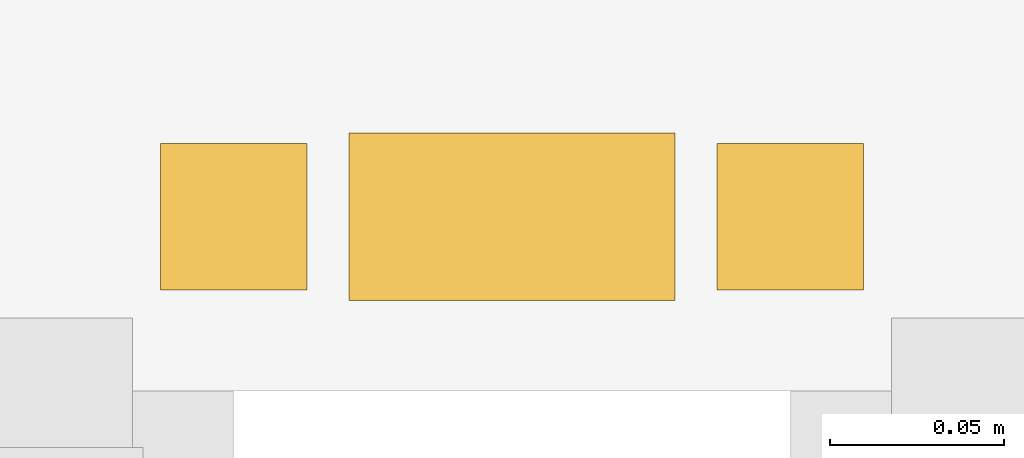
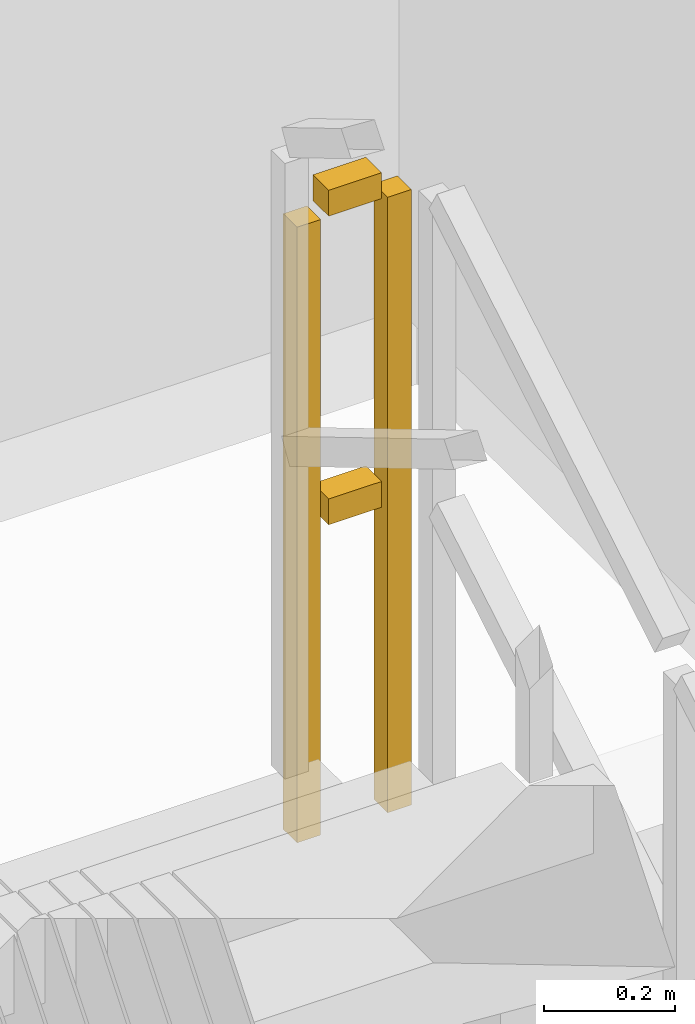
# One storey, part 24 of 24: 1 railing.
"""IFC4 building model written with IfcOpenShell, lengths in metres."""

from ifc_helpers import new_model, si_unit, direction, frame, origin, origin_2d, place, context, subcontext, project, spatial, rectangle, extrude, material, type_object, element, save


model = new_model("IFC4")

# Units and contexts
model_context = context("Model", 3, precision=1e-05, world=origin(), true_north=direction((0.0, 1.0)))
body_context = subcontext(model_context, "Body", "Model", "MODEL_VIEW")
ifc_project = project(units=[si_unit("LENGTHUNIT", "METRE"), si_unit("AREAUNIT", "SQUARE_METRE"), si_unit("VOLUMEUNIT", "CUBIC_METRE"), si_unit("PLANEANGLEUNIT", "RADIAN"), si_unit("MASSUNIT", "GRAM", prefix="KILO")], contexts=[model_context])

# Site, building, storey
site_placement = place(None, origin())
site = spatial("IfcSite", under=ifc_project, at=site_placement, CompositionType="ELEMENT")
building_placement = place(site_placement, origin())
building = spatial("IfcBuilding", under=site, at=building_placement, Name="Saelheon Loggia Tower", CompositionType="ELEMENT")
storey_placement = place(building_placement, frame((0.0, 0.0, 126.75)))
storey = spatial("IfcBuildingStorey", under=building, at=storey_placement, Name="L40", CompositionType="ELEMENT", Elevation=126.75)

# Railing
ifc_material = material(Name="Galvanised Steel S275 Stairwell Guardrail", Category="steel")
railing_type = type_object("IfcRailingType", Name="Guard_StairWell_RL_STG", PredefinedType="GUARDRAIL", material=ifc_material)
railing_placement = place(storey_placement, frame((42.489990234375, 32.739990234375, 1.5)))
element("IfcRailing", 1, at=railing_placement, inside=storey, type_object=railing_type, Name="L40 ST2 stair guard 2", PredefinedType="GUARDRAIL", context=body_context, shape_type="SweptSolid", body=[
    extrude(rectangle(XDim=0.048095703125, YDim=0.048095703125, at=origin_2d()), frame((-0.033203125, 0.0, 1.17578125), z_axis=(-1.0, 0.0, 0.0), x_axis=(0.0, -1.0, 0.0)), (0.0, 0.0, 1.0), 0.093505859375),
    extrude(rectangle(XDim=0.048095703125, YDim=0.048095703125, at=origin_2d()), frame((-0.033203125, 0.0, 0.60009765625), z_axis=(-1.0, 0.0, 0.0), x_axis=(0.0, -1.0, 0.0)), (0.0, 0.0, 1.0), 0.093505859375),
    extrude(rectangle(XDim=0.0419921875, YDim=0.0419921875, at=origin_2d()), origin(), (0.0, 0.0, 1.0), 1.14794921875),
    extrude(rectangle(XDim=0.0419921875, YDim=0.0419921875, at=origin_2d()), frame((-0.159912109375, 0.0, 0.0)), (0.0, 0.0, 1.0), 1.14794921875),
])

save(model, "model.ifc")
